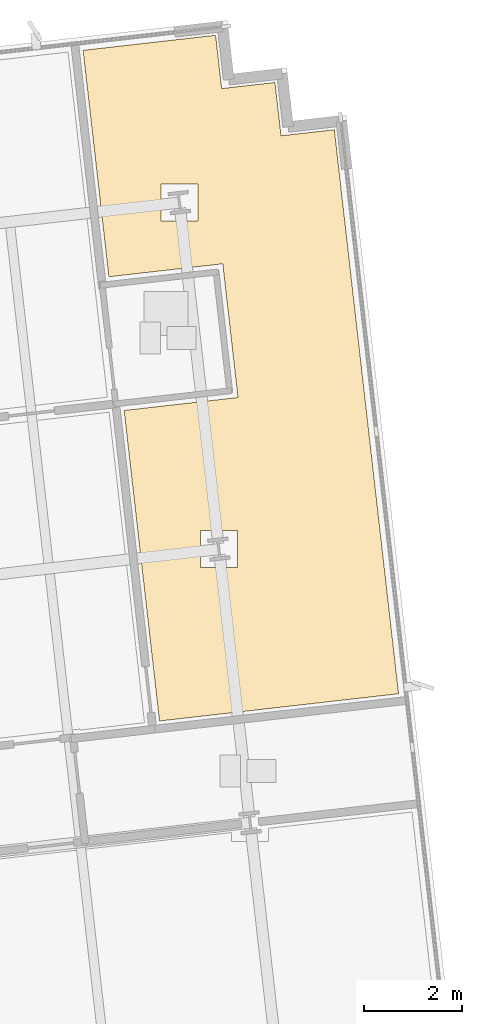
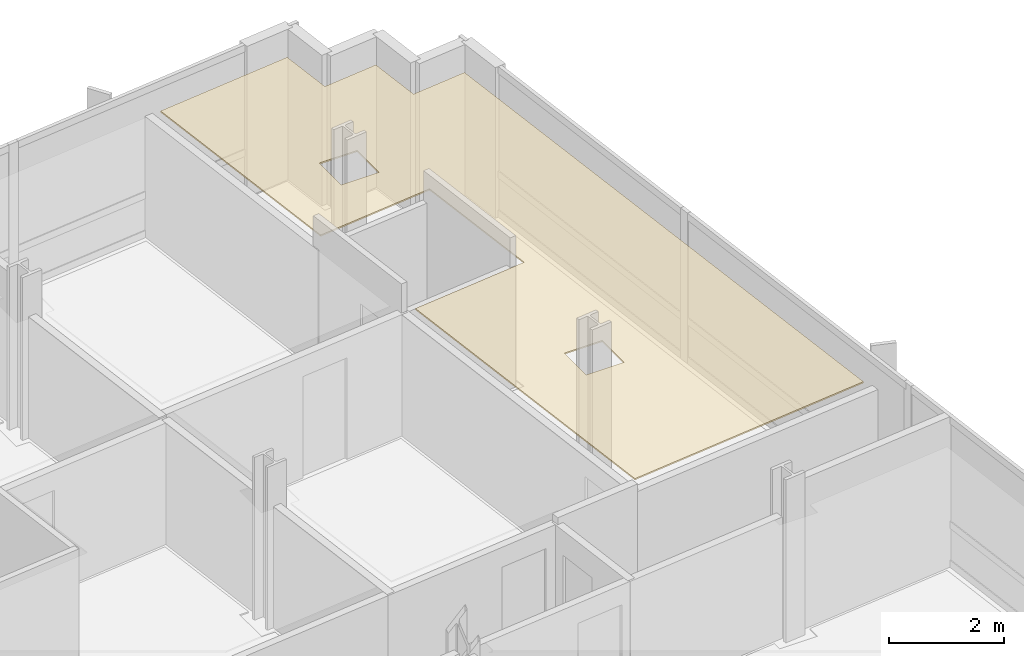
# One storey, part 16 of 17: 1 covering.
"""IFC4 building model written with IfcOpenShell, lengths in metres."""

from ifc_helpers import new_model, si_unit, direction, frame, origin, place, context, subcontext, project, spatial, polyline, outline, extrude, material, layer, layer_set, type_object, element, save


model = new_model("IFC4")

# Units and contexts
model_context = context("Model", 3, precision=1e-05, world=origin(), true_north=direction((0.0, 1.0)))
body_context = subcontext(model_context, "Body", "Model", "MODEL_VIEW")
ifc_project = project(units=[si_unit("LENGTHUNIT", "METRE"), si_unit("AREAUNIT", "SQUARE_METRE"), si_unit("VOLUMEUNIT", "CUBIC_METRE"), si_unit("PLANEANGLEUNIT", "RADIAN"), si_unit("MASSUNIT", "GRAM", prefix="KILO")], contexts=[model_context])

# Site, building, storey
site_placement = place(None, origin())
site = spatial("IfcSite", under=ifc_project, at=site_placement, CompositionType="ELEMENT")
building_placement = place(site_placement, origin())
building = spatial("IfcBuilding", under=site, at=building_placement, Name="Solmavex Isthmus Hotel", CompositionType="ELEMENT")
storey_placement = place(building_placement, frame((0.0, 0.0, 202.050048828125)))
storey = spatial("IfcBuildingStorey", under=building, at=storey_placement, Name="L54", CompositionType="ELEMENT", Elevation=202.050048828125)

# Covering
ifc_material = material(Name="Gypsum plasterboard lining", Category="gypsum")
ifc_layer = layer(ifc_material, 0.030029296875)
ifc_layer_set = layer_set([ifc_layer], Name="Gypsum plasterboard lining")
covering_type = type_object("IfcCoveringType", Name="COV-CEIL-GYP", PredefinedType="CEILING", material=ifc_layer_set)
covering_placement = place(storey_placement, frame((0.0, 0.0, 2.619873046875)))
element("IfcCovering", 1, at=covering_placement, inside=storey, type_object=covering_type, Name="Suspended Acoustic Ceiling L54-SV06", PredefinedType="CEILING", context=body_context, shape_type="SweptSolid", body=[
    extrude(outline(polyline([(25.138427734375, 21.521484375), (25.013916015625, 22.6142578125), (24.194091796875, 22.52099609375), (22.29736328125, 22.304931640625), (22.826416015625, 17.662841796875), (25.1611328125, 17.928955078125), (25.4736328125, 15.186767578125), (23.138671875, 14.920654296875), (23.8642578125, 8.5537109375), (28.766357421875, 9.1123046875), (27.542236328125, 19.85791015625), (27.44873046875, 20.677490234375), (26.35595703125, 20.552978515625), (26.231201171875, 21.64599609375), (25.138427734375, 21.521484375)]), holes=[polyline([(24.7021484375, 11.697265625), (24.7021484375, 12.457275390625), (25.462158203125, 12.457275390625), (25.462158203125, 11.697265625), (24.7021484375, 11.697265625)]), polyline([(23.892578125, 19.5634765625), (24.652587890625, 19.5634765625), (24.652587890625, 18.803466796875), (23.892578125, 18.803466796875), (23.892578125, 19.5634765625)])]), origin(), (0.0, 0.0, 1.0), 0.030029296875),
])

save(model, "model.ifc")
